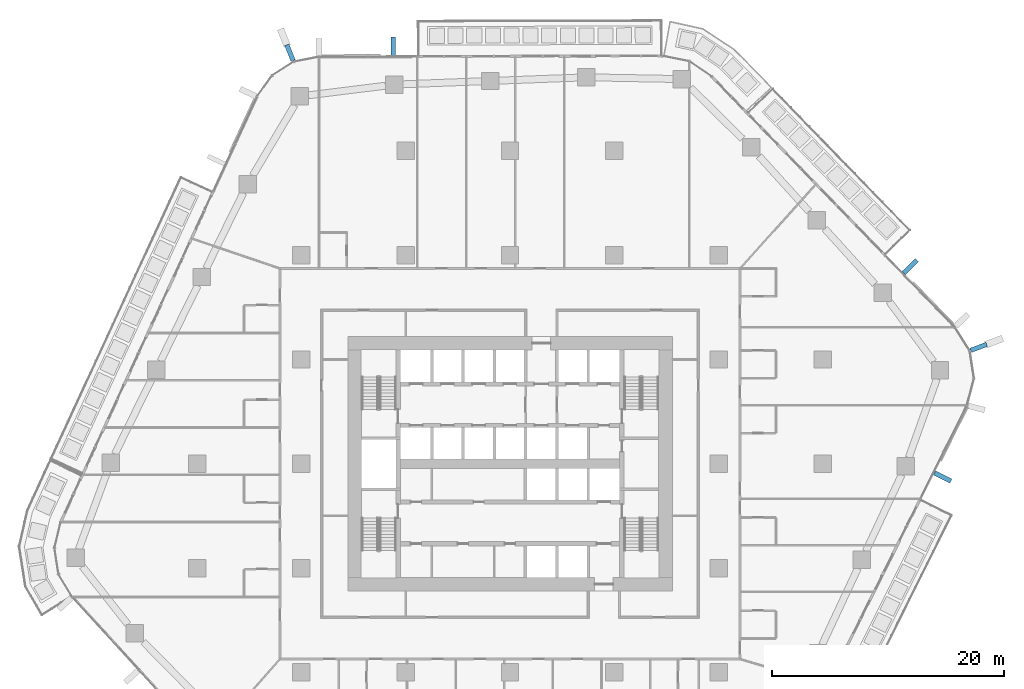
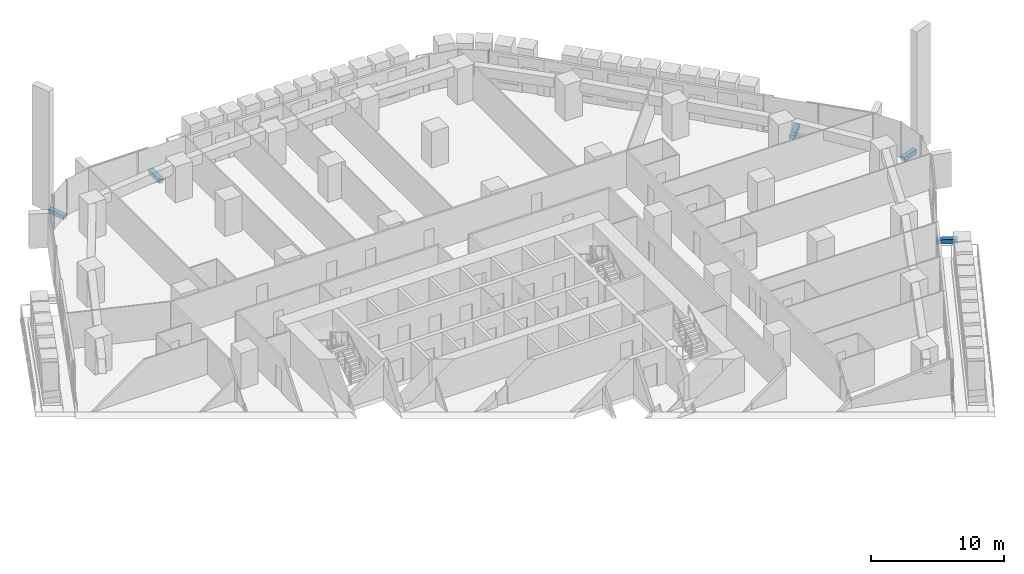
# One storey, part 20 of 27: 5 discrete accessories.
"""IFC4 building model written with IfcOpenShell, lengths in metres."""

from ifc_helpers import new_model, si_unit, direction, frame, origin, origin_2d, place, context, subcontext, project, spatial, rectangle, extrude, material, type_object, element, save


model = new_model("IFC4")

# Units and contexts
model_context = context("Model", 3, precision=1e-05, world=origin(), true_north=direction((0.0, 1.0)))
body_context = subcontext(model_context, "Body", "Model", "MODEL_VIEW")
ifc_project = project(units=[si_unit("LENGTHUNIT", "METRE"), si_unit("AREAUNIT", "SQUARE_METRE"), si_unit("VOLUMEUNIT", "CUBIC_METRE"), si_unit("PLANEANGLEUNIT", "RADIAN"), si_unit("MASSUNIT", "GRAM", prefix="KILO")], contexts=[model_context])

# Site, building, storey
site_placement = place(None, origin())
site = spatial("IfcSite", under=ifc_project, at=site_placement, CompositionType="ELEMENT")
building_placement = place(site_placement, origin())
building = spatial("IfcBuilding", under=site, at=building_placement, Name="Dongbaek Canopy Tower", CompositionType="ELEMENT")
storey_placement = place(building_placement, frame((0.0, 0.0, 55.10009765625)))
storey = spatial("IfcBuildingStorey", under=building, at=storey_placement, Name="L09", CompositionType="ELEMENT", Elevation=55.10009765625)

# Discrete accessories
ifc_material = material(Name="Galvanised steel S355 bracket", Category="steel")
discrete_accessory_type = type_object("IfcDiscreteAccessoryType", Name="Crease fin bracket BR3 400", PredefinedType="BRACKET", material=ifc_material)
discrete_accessory_1_placement = place(storey_placement, frame((37.33544921875, -1.140625, -0.400146484375), z_axis=(0.0, 0.0, 1.0), x_axis=(0.895193538217, -0.445677606724, 0.0)))
element("IfcDiscreteAccessory", 1, at=discrete_accessory_1_placement, inside=storey, type_object=discrete_accessory_type, Name="Crease fin bracket L09 F5", PredefinedType="BRACKET", context=body_context, shape_type="SweptSolid", body=[
    extrude(rectangle(XDim=1.57666015625, YDim=0.39990234375, at=origin_2d()), origin(), (0.0, 0.0, 1.0), 0.39990234375),
])
discrete_accessory_2_placement = place(storey_placement, frame((34.54296875, 17.01220703125, -0.400146484375), z_axis=(0.0, 0.0, 1.0), x_axis=(0.718003612313, 0.696039375829, 0.0)))
element("IfcDiscreteAccessory", 2, at=discrete_accessory_2_placement, inside=storey, type_object=discrete_accessory_type, Name="Crease fin bracket L09 F0", PredefinedType="BRACKET", context=body_context, shape_type="SweptSolid", body=[
    extrude(rectangle(XDim=1.578125, YDim=0.39990234375, at=origin_2d()), origin(), (0.0, 0.0, 1.0), 0.39990234375),
])
discrete_accessory_3_placement = place(storey_placement, frame((-10.08544921875, 36.02099609375, -0.400146484375), z_axis=(0.0, 0.0, 1.0), x_axis=(-0.002665114613, 0.999996448576, 0.0)))
element("IfcDiscreteAccessory", 3, at=discrete_accessory_3_placement, inside=storey, type_object=discrete_accessory_type, Name="Crease fin bracket L09 F1", PredefinedType="BRACKET", context=body_context, shape_type="SweptSolid", body=[
    extrude(rectangle(XDim=1.5810546875, YDim=0.39990234375, at=origin_2d()), origin(), (0.0, 0.0, 1.0), 0.39990234375),
])
for number, where, z_axis, x_axis, name in (
    (4, (40.445556640625, 10.04150390625, -0.400146484375), (0.0, 0.0, 1.0), (0.936154683811, 0.351588407059, 0.0), "Corner fin bracket L09 K0"),
    (5, (-18.986328125, 35.46484375, -0.400146484375), (0.0, 0.0, 1.0), (-0.372155271406, 0.928170487553, 0.0), "Corner fin bracket L09 K2"),
):
    element("IfcDiscreteAccessory", number, at=place(storey_placement, frame(where, z_axis=z_axis, x_axis=x_axis)), inside=storey, type_object=discrete_accessory_type, Name=name, PredefinedType="BRACKET", context=body_context, shape_type="SweptSolid", body=[
        extrude(rectangle(XDim=1.469970703125, YDim=0.39990234375, at=origin_2d()), origin(), (0.0, 0.0, 1.0), 0.39990234375),
    ])

save(model, "model.ifc")
